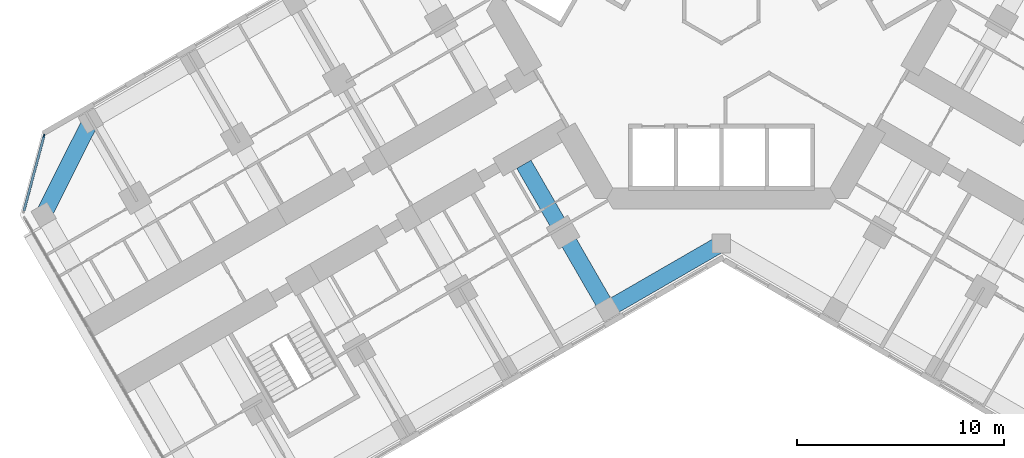
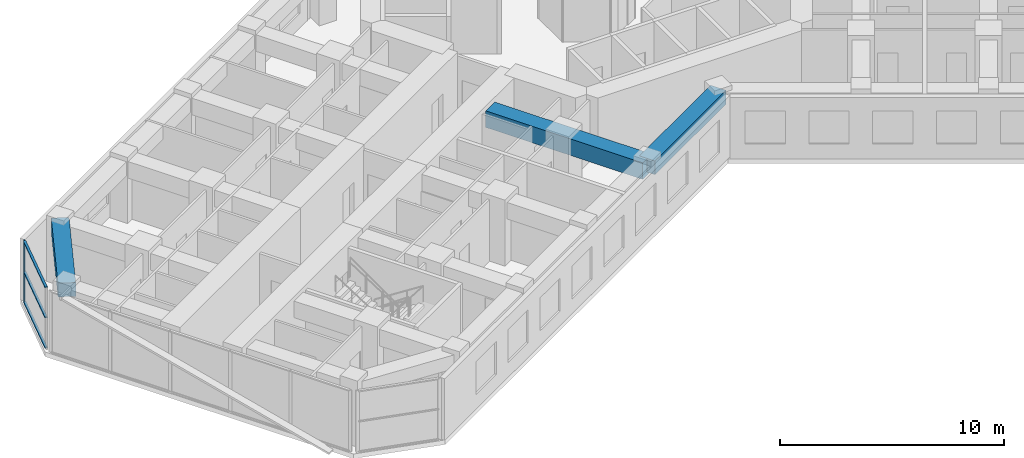
# One storey, part 3 of 21: 4 members, 3 beams, 1 element without a shape of its own.
"""IFC4 building model written with IfcOpenShell, lengths in metres."""

from ifc_helpers import new_model, si_unit, direction, frame, origin, origin_2d, place, context, subcontext, project, spatial, rectangle, extrude, material, material_profile, profile_set, type_object, element, aggregate, save


model = new_model("IFC4")

# Units and contexts
model_context = context("Model", 3, precision=1e-05, world=origin(), true_north=direction((0.0, 1.0)))
body_context = subcontext(model_context, "Body", "Model", "MODEL_VIEW")
ifc_project = project(units=[si_unit("LENGTHUNIT", "METRE"), si_unit("AREAUNIT", "SQUARE_METRE"), si_unit("VOLUMEUNIT", "CUBIC_METRE"), si_unit("PLANEANGLEUNIT", "RADIAN"), si_unit("MASSUNIT", "GRAM", prefix="KILO")], contexts=[model_context])

# Site, building, storey
site_placement = place(None, origin())
site = spatial("IfcSite", under=ifc_project, at=site_placement, CompositionType="ELEMENT")
building_placement = place(site_placement, origin())
building = spatial("IfcBuilding", under=site, at=building_placement, Name="Kosmar Iwan School Tower", CompositionType="ELEMENT")
storey_placement = place(building_placement, frame((0.0, 0.0, 80.800048828125)))
storey = spatial("IfcBuildingStorey", under=building, at=storey_placement, Name="L19", CompositionType="ELEMENT", Elevation=80.800048828125)

# Curtain wall, member
ifc_material_1 = material(Name="Dark glass in black aluminium frame", Category="aluminium")
curtain_wall_type = type_object("IfcCurtainWallType", Name="Chamfer curtain wall dark glass", PredefinedType="USERDEFINED", material=ifc_material_1)
curtain_wall_placement = place(storey_placement, origin())
curtain_wall = element("IfcCurtainWall", 1, at=curtain_wall_placement, inside=storey, type_object=curtain_wall_type, Name="Curtain wall L19-F12", ObjectType="FACETED CURTAIN WALL", PredefinedType="USERDEFINED")
ifc_material_2 = material(Name="Black anodised aluminium", Category="aluminium")
ifc_material_profile_1 = material_profile(ifc_material_2, rectangle(XDim=0.06005859375, YDim=0.159912109375, at=origin_2d()), Name="MULLION 60x160")
ifc_profile_set_1 = profile_set([ifc_material_profile_1], Name="Black anodised aluminium")
member_type_1 = type_object("IfcMemberType", Name="Mullion 60x160", PredefinedType="MULLION", material=ifc_profile_set_1)
member_1_placement = place(storey_placement, frame((-32.78076171875, -6.5732421875, 0.0), z_axis=(0.0, 0.0, 1.0), x_axis=(0.965925875495, -0.258818861462, 0.0)))
member_1 = element("IfcMember", 2, at=member_1_placement, type_object=member_type_1, Name="CW2 mullion 1", PredefinedType="MULLION", context=body_context, shape_type="SweptSolid", body=[
    extrude(rectangle(XDim=0.06005859375, YDim=0.159912109375, at=origin_2d()), origin(), (0.0, 0.0, 1.0), 3.349853515625),
])

# Beams
ifc_material_3 = material(Name="Concrete C50/60", Category="concrete")
ifc_material_profile_2 = material_profile(ifc_material_3, rectangle(XDim=0.800048828125, YDim=0.75, at=origin_2d()), Name="RC 800x750")
ifc_profile_set_2 = profile_set([ifc_material_profile_2], Name="Concrete C50/60")
beam_type_1 = type_object("IfcBeamType", Name="RC edge beam 800x750", PredefinedType="BEAM", material=ifc_profile_set_2)
beam_1_placement = place(storey_placement, frame((0.0, -11.77783203125, 2.974853515625), z_axis=(-0.866014293216, -0.500019243575, 0.0), x_axis=(0.500019243575, -0.866014293216, 0.0)))
element("IfcBeam", 3, at=beam_1_placement, inside=storey, type_object=beam_type_1, Name="Edge beam BL1", PredefinedType="BEAM", context=body_context, shape_type="SweptSolid", body=[
    extrude(rectangle(XDim=0.800048828125, YDim=0.75, at=origin_2d()), origin(), (0.0, 0.0, 1.0), 6.361083984375),
])
ifc_material_4 = material(Name="Concrete C50/60", Category="concrete")
ifc_material_profile_3 = material_profile(ifc_material_4, rectangle(XDim=0.800048828125, YDim=0.75, at=origin_2d()), Name="RC 800x750")
ifc_profile_set_3 = profile_set([ifc_material_profile_3], Name="Concrete C50/60")
beam_type_2 = type_object("IfcBeamType", Name="RC tip beam 800x750", PredefinedType="BEAM", material=ifc_profile_set_3)
beam_2_placement = place(storey_placement, frame((-30.517822265625, -5.841552734375, 2.974853515625), z_axis=(-0.44809604203, -0.893985423325, 0.0), x_axis=(0.893985423325, -0.44809604203, 0.0)))
element("IfcBeam", 4, at=beam_2_placement, inside=storey, type_object=beam_type_2, Name="Tip beam BR", PredefinedType="BEAM", context=body_context, shape_type="SweptSolid", body=[
    extrude(rectangle(XDim=0.800048828125, YDim=0.75, at=origin_2d()), origin(), (0.0, 0.0, 1.0), 5.08935546875),
])
ifc_material_5 = material(Name="Concrete C50/60", Category="concrete")
ifc_material_profile_4 = material_profile(ifc_material_5, rectangle(XDim=0.800048828125, YDim=0.89990234375, at=origin_2d()), Name="RC 800x900")
ifc_profile_set_4 = profile_set([ifc_material_profile_4], Name="Concrete C50/60")
beam_type_3 = type_object("IfcBeamType", Name="RC transverse beam 800x900", PredefinedType="BEAM", material=ifc_profile_set_4)
beam_3_placement = place(storey_placement, frame((-5.5087890625, -14.95849609375, 2.89990234375), z_axis=(-0.499999880539, 0.866025472755, 0.0), x_axis=(-0.866025472755, -0.499999880539, 0.0)))
element("IfcBeam", 5, at=beam_3_placement, inside=storey, type_object=beam_type_3, Name="Transverse beam BL1", PredefinedType="BEAM", context=body_context, shape_type="SweptSolid", body=[
    extrude(rectangle(XDim=0.800048828125, YDim=0.89990234375, at=origin_2d()), origin(), (0.0, 0.0, 1.0), 8.10009765625),
])

# Member
ifc_material_6 = material(Name="Black anodised aluminium", Category="aluminium")
ifc_material_profile_5 = material_profile(ifc_material_6, rectangle(XDim=0.1201171875, YDim=0.06005859375, at=origin_2d()), Name="TRANSOM 60x120")
ifc_profile_set_5 = profile_set([ifc_material_profile_5], Name="Black anodised aluminium")
member_type_2 = type_object("IfcMemberType", Name="Transom 60x120", PredefinedType="USERDEFINED", material=ifc_profile_set_5)
member_2_placement = place(storey_placement, frame((-32.788330078125, -6.602294921875, 0.030029296875), z_axis=(-0.258843273983, -0.965919333854, 0.0), x_axis=(0.965919333854, -0.258843273983, 0.0)))
member_2 = element("IfcMember", 6, at=member_2_placement, type_object=member_type_2, Name="CW2 transom 1.1", ObjectType="TRANSOM", PredefinedType="USERDEFINED", context=body_context, shape_type="SweptSolid", body=[
    extrude(rectangle(XDim=0.1201171875, YDim=0.06005859375, at=origin_2d()), origin(), (0.0, 0.0, 1.0), 3.718994140625),
])

member_3_placement = place(storey_placement, frame((-32.788330078125, -6.602294921875, 1.675048828125), z_axis=(-0.258843273983, -0.965919333854, 0.0), x_axis=(0.965919333854, -0.258843273983, 0.0)))
member_3 = element("IfcMember", 7, at=member_3_placement, type_object=member_type_2, Name="CW2 transom 1.2", ObjectType="TRANSOM", PredefinedType="USERDEFINED", context=body_context, shape_type="SweptSolid", body=[
    extrude(rectangle(XDim=0.1201171875, YDim=0.06005859375, at=origin_2d()), origin(), (0.0, 0.0, 1.0), 3.718994140625),
])

member_4_placement = place(storey_placement, frame((-32.788330078125, -6.602294921875, 3.320068359375), z_axis=(-0.258843273983, -0.965919333854, 0.0), x_axis=(0.965919333854, -0.258843273983, 0.0)))
member_4 = element("IfcMember", 8, at=member_4_placement, type_object=member_type_2, Name="CW2 transom 1.3", ObjectType="TRANSOM", PredefinedType="USERDEFINED", context=body_context, shape_type="SweptSolid", body=[
    extrude(rectangle(XDim=0.1201171875, YDim=0.06005859375, at=origin_2d()), origin(), (0.0, 0.0, 1.0), 3.718994140625),
])

aggregate(curtain_wall, [member_1, member_2, member_3, member_4])

save(model, "model.ifc")
